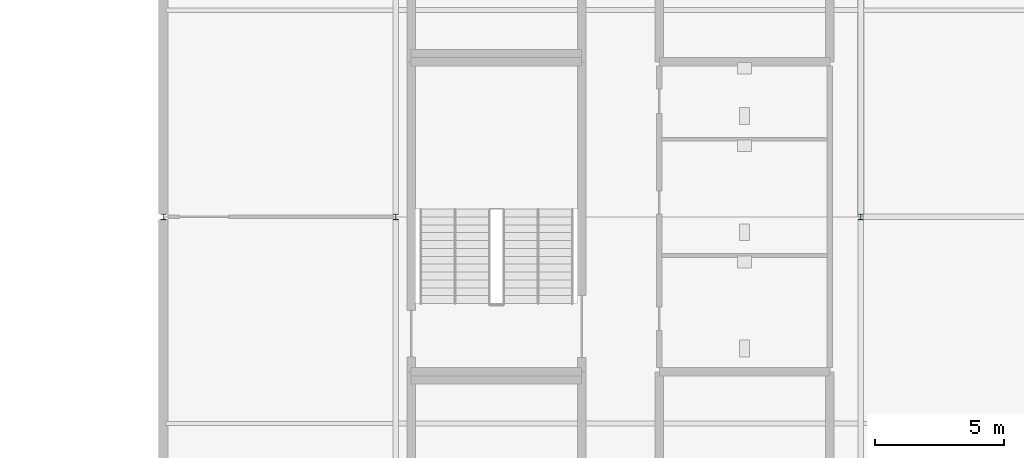
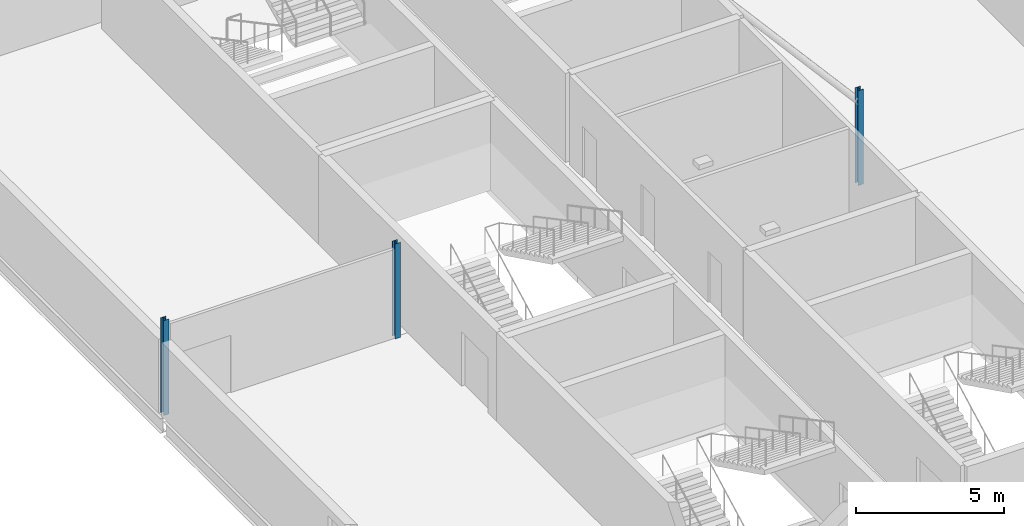
# One storey, part 11 of 35: 3 columns.
"""IFC4 building model written with IfcOpenShell, lengths in metres."""

import ifcopenshell
import ifcopenshell.guid

model = None  # the IFC model being written
_history = None  # IfcOwnerHistory: only IFC2X3 demands one
_inside = {}  # id of a spatial element -> (the spatial element, [elements in it])
_under = {}  # id of a project, library or spatial element -> (it, [spatial elements below it])
_declared = {}  # id of a project -> (the project, [libraries it declares])
_typed = {}  # id of a type object -> (the type object, [elements of that type])
_made_of = {}  # id of a material, layer set ... -> (it, [elements and type objects made of it])


def new_model(schema):
    """Start an empty IFC model of exactly this schema.

    Asked for "IFC4X3", IfcOpenShell would pick the latest addendum, in which some entities
    have other attributes; the version numbers below select the first issue.
    IFC2X3 requires an IfcOwnerHistory on every rooted entity: one is made here for all.
    """
    global model, _history
    if schema == "IFC4X3":
        model = ifcopenshell.file(schema_version=(4, 3, 0, 0))
    else:
        model = ifcopenshell.file(schema=schema)
    _inside.clear()
    _under.clear()
    _declared.clear()
    _typed.clear()
    _made_of.clear()
    _history = None
    if model.schema == "IFC2X3":
        org = make("IfcOrganization", Name="unknown")
        user = make(
            "IfcPersonAndOrganization",
            ThePerson=make("IfcPerson", FamilyName="unknown"),
            TheOrganization=org,
        )
        app = make(
            "IfcApplication",
            ApplicationDeveloper=org,
            Version="unknown",
            ApplicationFullName="unknown",
            ApplicationIdentifier="unknown",
        )
        _history = make(
            "IfcOwnerHistory",
            OwningUser=user,
            OwningApplication=app,
            ChangeAction="ADDED",
            CreationDate=0,
        )
    return model


def make(cls, **values):
    """One entity of the class cls with the attributes given. An attribute that is None is left unset."""
    return model.create_entity(
        cls, **{name: value for name, value in values.items() if value is not None}
    )


def rooted(cls, **values):
    """An entity with a GlobalId (a new one), such as an element, a storey or a relation."""
    return make(cls, GlobalId=ifcopenshell.guid.new(), OwnerHistory=_history, **values)


def si_unit(unit_type, name, prefix=None):
    """IfcSIUnit, for example si_unit("LENGTHUNIT", "METRE", prefix="MILLI")."""
    return make("IfcSIUnit", UnitType=unit_type, Prefix=prefix, Name=name)


def assignment(units):
    """IfcUnitAssignment: the units of a project."""
    return None if units is None else make("IfcUnitAssignment", Units=units)


def point(xyz):
    """IfcCartesianPoint."""
    return None if xyz is None else make("IfcCartesianPoint", Coordinates=xyz)


def direction(xyz):
    """IfcDirection."""
    return None if xyz is None else make("IfcDirection", DirectionRatios=xyz)


def frame(location, z_axis=None, x_axis=None):
    """IfcAxis2Placement3D, a coordinate frame: its origin and axes. An axis left out is left unset."""
    return make(
        "IfcAxis2Placement3D",
        Location=point(location),
        Axis=direction(z_axis),
        RefDirection=direction(x_axis),
    )


def frame_2d(location, x_axis=None):
    """IfcAxis2Placement2D, a coordinate frame in the plane: its origin and x axis."""
    return make(
        "IfcAxis2Placement2D", Location=point(location), RefDirection=direction(x_axis)
    )


def origin():
    """The frame at (0, 0, 0) with its axes left unset."""
    return frame((0.0, 0.0, 0.0))


def origin_2d():
    """The frame at (0, 0) in the plane with its x axis left unset."""
    return frame_2d((0.0, 0.0))


def place(relative_to, where):
    """IfcLocalPlacement: puts the frame where relative to a parent placement (None: the world)."""
    return make(
        "IfcLocalPlacement", PlacementRelTo=relative_to, RelativePlacement=where
    )


def context(
    kind, dimensions, precision=None, world=None, true_north=None, identifier=None
):
    """IfcGeometricRepresentationContext, for example the 3D "Model" context."""
    return make(
        "IfcGeometricRepresentationContext",
        ContextIdentifier=identifier,
        ContextType=kind,
        CoordinateSpaceDimension=dimensions,
        Precision=precision,
        WorldCoordinateSystem=world,
        TrueNorth=true_north,
    )


def subcontext(parent, identifier, kind, view, scale=None):
    """IfcGeometricRepresentationSubContext, for example "Body" below "Model"."""
    return make(
        "IfcGeometricRepresentationSubContext",
        ContextIdentifier=identifier,
        ContextType=kind,
        ParentContext=parent,
        TargetScale=scale,
        TargetView=view,
    )


def project(units=None, contexts=None):
    """IfcProject with its units and contexts."""
    return rooted(
        "IfcProject",
        Name="project",
        RepresentationContexts=contexts,
        UnitsInContext=assignment(units),
    )


def spatial(cls, under=None, at=None, **own):
    """A site, building, storey or space (cls), placed at a placement, below another one or the project."""
    s = rooted(cls, ObjectPlacement=at, **own)
    if under is not None:
        _under.setdefault(under.id(), (under, []))[1].append(s)
    return s


def profile(cls, at=None, kind="AREA", **sizes):
    """A parametric profile (cls). Its sizes go by their IFC names, for example OverallWidth=200.0."""
    return make(cls, ProfileType=kind, Position=at, **sizes)


def i_section(**sizes):
    """IfcIShapeProfileDef."""
    return profile("IfcIShapeProfileDef", **sizes)


def extrude(swept, where, along, depth):
    """IfcExtrudedAreaSolid: the profile swept, set in the frame where, extruded along a direction by depth."""
    return make(
        "IfcExtrudedAreaSolid",
        SweptArea=swept,
        Position=where,
        ExtrudedDirection=direction(along),
        Depth=depth,
    )


def shape(context_of_items, identifier, shape_type, items):
    """IfcShapeRepresentation: the items that make up one representation, for example the "Body"."""
    return make(
        "IfcShapeRepresentation",
        ContextOfItems=context_of_items,
        RepresentationIdentifier=identifier,
        RepresentationType=shape_type,
        Items=items,
    )


def material(Name=None, Category=None):
    """IfcMaterial."""
    return make("IfcMaterial", Name=Name, Category=Category)


def material_profile(
    of_material, cross_section, Name=None, Category=None, Priority=None
):
    """IfcMaterialProfile: a cross section and its material."""
    return make(
        "IfcMaterialProfile",
        Name=Name,
        Material=of_material,
        Profile=cross_section,
        Priority=Priority,
        Category=Category,
    )


def profile_set(profiles, Name=None, composite=None):
    """IfcMaterialProfileSet."""
    return make(
        "IfcMaterialProfileSet",
        Name=Name,
        MaterialProfiles=profiles,
        CompositeProfile=composite,
    )


def made_of(thing, what):
    """Note that an element or type object is made of a material, layer set ...; save() writes the relation."""
    if what is not None:
        _made_of.setdefault(what.id(), (what, []))[1].append(thing)
    return thing


def type_object(cls, material=None, **own):
    """A type object (cls), such as IfcWallType, which elements share."""
    return made_of(rooted(cls, **own), material)


def element(
    cls,
    number,
    at=None,
    inside=None,
    cuts=None,
    type_object=None,
    material=None,
    context=None,
    identifier="Body",
    shape_type=None,
    held_by="IfcProductDefinitionShape",
    body=None,
    shapes=None,
    **own,
):
    """One element of the class cls, such as IfcWall. Its Tag is "e" and its number.

    at: its placement. inside: the storey or other place that contains it. cuts: it is an
    opening in that element (IfcRelVoidsElement). A single representation is given by context,
    identifier, shape_type and body (its items); several are given by shapes. held_by: the class
    of the entity that holds the representations. save() writes the other relations.
    """
    e = rooted(cls, Tag="e%d" % number, ObjectPlacement=at, **own)
    if body is not None:
        shapes = [shape(context, identifier, shape_type, body)]
    if shapes is not None:
        e.Representation = make(held_by, Representations=shapes)
    if inside is not None:
        _inside.setdefault(inside.id(), (inside, []))[1].append(e)
    if cuts is not None:
        rooted(
            "IfcRelVoidsElement", RelatingBuildingElement=cuts, RelatedOpeningElement=e
        )
    if type_object is not None:
        _typed.setdefault(type_object.id(), (type_object, []))[1].append(e)
    return made_of(e, material)


def aggregate(whole, parts):
    """IfcRelAggregates: a whole, such as a stair, and the parts it consists of."""
    return rooted("IfcRelAggregates", RelatingObject=whole, RelatedObjects=parts)


def save(model, path):
    """Write the relations noted so far, then the file.

    IfcRelAggregates (storeys below a building ...), IfcRelContainedInSpatialStructure (elements
    in a storey), IfcRelDefinesByType, IfcRelAssociatesMaterial and IfcRelDeclares: one each for
    every whole, place, type object, material and project.
    """
    for whole, parts in _under.values():
        aggregate(whole, parts)
    for where, things in _inside.values():
        rooted(
            "IfcRelContainedInSpatialStructure",
            RelatedElements=things,
            RelatingStructure=where,
        )
    for kind, things in _typed.values():
        rooted("IfcRelDefinesByType", RelatedObjects=things, RelatingType=kind)
    for what, things in _made_of.values():
        rooted("IfcRelAssociatesMaterial", RelatedObjects=things, RelatingMaterial=what)
    for by, libraries in _declared.values():
        rooted("IfcRelDeclares", RelatingContext=by, RelatedDefinitions=libraries)
    model.write(path)


model = new_model("IFC4")

# Units and contexts
model_context = context("Model", 3, precision=1e-05, world=origin(), true_north=direction((0.0, 1.0)))
body_context = subcontext(model_context, "Body", "Model", "MODEL_VIEW")
ifc_project = project(units=[si_unit("LENGTHUNIT", "METRE"), si_unit("AREAUNIT", "SQUARE_METRE"), si_unit("VOLUMEUNIT", "CUBIC_METRE"), si_unit("PLANEANGLEUNIT", "RADIAN"), si_unit("MASSUNIT", "GRAM", prefix="KILO")], contexts=[model_context])

# Site, building, storey
site_placement = place(None, origin())
site = spatial("IfcSite", under=ifc_project, at=site_placement, CompositionType="ELEMENT")
building_placement = place(site_placement, origin())
building = spatial("IfcBuilding", under=site, at=building_placement, Name="Kisiwana Market Hall", CompositionType="ELEMENT")
storey_placement = place(building_placement, frame((0.0, 0.0, 61.800048828125)))
storey = spatial("IfcBuildingStorey", under=building, at=storey_placement, Name="L14", CompositionType="ELEMENT", Elevation=61.800048828125)

# Columns
ifc_material = material(Name="Steel S355", Category="steel")
ifc_material_profile = material_profile(ifc_material, i_section(OverallWidth=0.205810546875, OverallDepth=0.209716796875, WebThickness=0.009521484375, FlangeThickness=0.01416015625, FilletRadius=0.01025390625, at=origin_2d()), Name="UC 203x203x60")
ifc_profile_set = profile_set([ifc_material_profile], Name="Steel S355")
column_type = type_object("IfcColumnType", Name="COL-STL-UC060", PredefinedType="COLUMN", material=ifc_profile_set)
for number, where, z_axis, x_axis, name in (
    (1, (171.0, 60.0, 0.0), (0.0, 0.0, 1.0), (1.0, 0.0, 0.0), "Column H/20 (L14) C-1466"),
    (2, (162.0, 60.0, 0.0), (0.0, 0.0, 1.0), (1.0, 0.0, 0.0), "Column H/19 (L14) C-1440"),
    (3, (189.0, 60.0, 0.0), (0.0, 0.0, 1.0), (1.0, 0.0, 0.0), "Column H/22 (L14) C-1441"),
):
    element("IfcColumn", number, at=place(storey_placement, frame(where, z_axis=z_axis, x_axis=x_axis)), inside=storey, type_object=column_type, Name=name, PredefinedType="COLUMN", context=body_context, shape_type="SweptSolid", body=[
        extrude(i_section(OverallWidth=0.205810546875, OverallDepth=0.209716796875, WebThickness=0.009521484375, FlangeThickness=0.01416015625, FilletRadius=0.01025390625, at=origin_2d()), origin(), (0.0, 0.0, 1.0), 3.89990234375),
    ])

save(model, "model.ifc")
